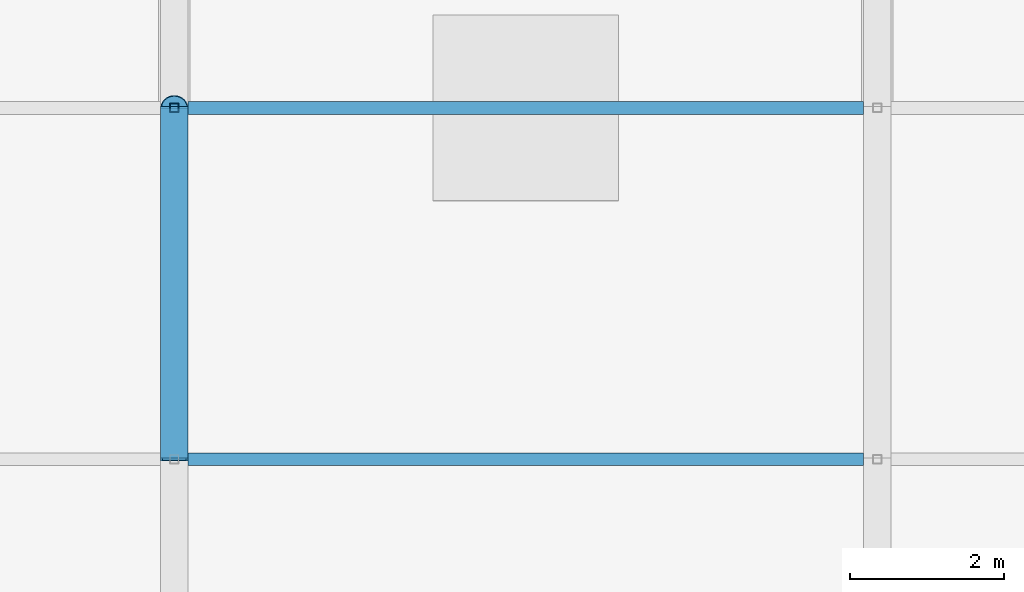
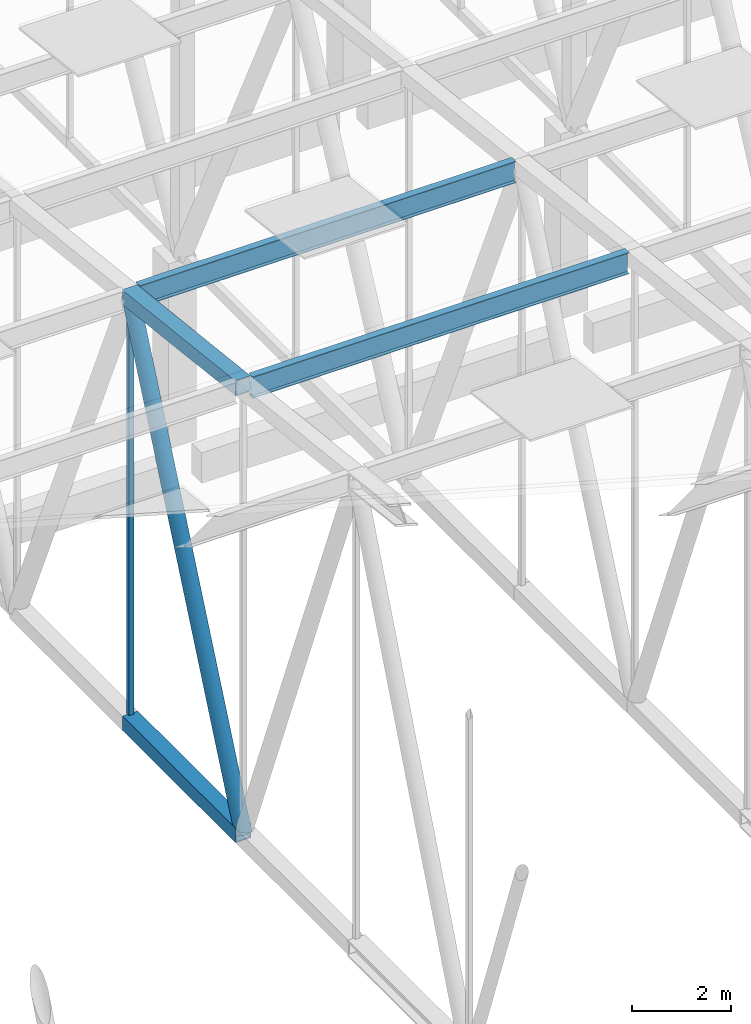
# One storey, part 267 of 500: 6 members.
"""IFC4 building model written with IfcOpenShell, lengths in metres."""

from ifc_helpers import new_model, si_unit, direction, frame, origin, origin_2d, place, context, subcontext, project, spatial, hollow_rectangle, hollow_circle, i_section, extrude, material, material_profile, profile_set, type_object, element, save


model = new_model("IFC4")

# Units and contexts
model_context = context("Model", 3, precision=1e-05, world=origin(), true_north=direction((0.0, 1.0)))
body_context = subcontext(model_context, "Body", "Model", "MODEL_VIEW")
ifc_project = project(units=[si_unit("LENGTHUNIT", "METRE"), si_unit("AREAUNIT", "SQUARE_METRE"), si_unit("VOLUMEUNIT", "CUBIC_METRE"), si_unit("PLANEANGLEUNIT", "RADIAN"), si_unit("MASSUNIT", "GRAM", prefix="KILO")], contexts=[model_context])

# Site, building, storey
site_placement = place(None, origin())
site = spatial("IfcSite", under=ifc_project, at=site_placement, CompositionType="ELEMENT")
building_placement = place(site_placement, origin())
building = spatial("IfcBuilding", under=site, at=building_placement, Name="Shirokan Park Arena", CompositionType="ELEMENT")
storey_placement = place(building_placement, frame((0.0, 0.0, 29.1201171875)))
storey = spatial("IfcBuildingStorey", under=building, at=storey_placement, Name="L06", CompositionType="ELEMENT", Elevation=29.1201171875)

# Members
ifc_material_1 = material(Name="Steel S355J2H", Category="steel")
ifc_material_profile_1 = material_profile(ifc_material_1, hollow_rectangle(XDim=0.35595703125, YDim=0.35595703125, WallThickness=0.025390625, at=origin_2d()), Name="HSS355.6X355.6X25.4")
ifc_profile_set_1 = profile_set([ifc_material_profile_1], Name="Steel S355J2H")
member_type_1 = type_object("IfcMemberType", Name="Bottom chord HSS355.6X355.6X25.4", PredefinedType="CHORD", material=ifc_profile_set_1)
member_1_placement = place(storey_placement, frame((63.699951171875, 81.89990234375, 4.677001953125), z_axis=(0.0, 1.0, 0.0), x_axis=(-1.0, 0.0, 0.0)))
element("IfcMember", 1, at=member_1_placement, inside=storey, type_object=member_type_1, Name="Truss T08 bottom chord 21", PredefinedType="CHORD", context=body_context, shape_type="SweptSolid", body=[
    extrude(hollow_rectangle(XDim=0.35595703125, YDim=0.35595703125, WallThickness=0.025390625, at=origin_2d()), origin(), (0.0, 0.0, 1.0), 4.550048828125),
])
ifc_material_2 = material(Name="Steel ASTM A992", Category="steel")
ifc_material_profile_2 = material_profile(ifc_material_2, i_section(OverallWidth=0.166015625, OverallDepth=0.528076171875, WebThickness=0.009765625, FlangeThickness=0.013671875, at=origin_2d()), Name="W530X74")
ifc_profile_set_2 = profile_set([ifc_material_profile_2], Name="Steel ASTM A992")
member_type_2 = type_object("IfcMemberType", Name="Purlin W530X74", PredefinedType="PURLIN", material=ifc_profile_set_2)
for number, where, z_axis, x_axis, name in (
    (2, (63.8779296875, 81.89990234375, 15.60595703125), (1.0, 0.0, 0.0), (0.0, 1.0, 0.0), "Purlin 21 bay 8"),
    (3, (63.8779296875, 86.449951171875, 15.0859375), (1.0, 0.0, 0.0), (0.0, 1.0, 0.0), "Purlin 22 bay 8"),
):
    element("IfcMember", number, at=place(storey_placement, frame(where, z_axis=z_axis, x_axis=x_axis)), inside=storey, type_object=member_type_2, Name=name, PredefinedType="PURLIN", context=body_context, shape_type="SweptSolid", body=[
        extrude(i_section(OverallWidth=0.166015625, OverallDepth=0.528076171875, WebThickness=0.009765625, FlangeThickness=0.013671875, at=origin_2d()), origin(), (0.0, 0.0, 1.0), 8.744140625),
    ])
ifc_material_profile_3 = material_profile(ifc_material_1, hollow_rectangle(XDim=0.35595703125, YDim=0.35595703125, WallThickness=0.025390625, at=origin_2d()), Name="HSS355.6X355.6X25.4")
ifc_profile_set_3 = profile_set([ifc_material_profile_3], Name="Steel S355J2H")
member_type_3 = type_object("IfcMemberType", Name="Top chord HSS355.6X355.6X25.4", PredefinedType="CHORD", material=ifc_profile_set_3)
member_2_placement = place(storey_placement, frame((63.699951171875, 81.89990234375, 15.661376953125), z_axis=(0.0, 0.993532328996, -0.113549598152), x_axis=(-1.0, 0.0, 0.0)))
element("IfcMember", 4, at=member_2_placement, inside=storey, type_object=member_type_3, Name="Truss T08 top chord 21", PredefinedType="CHORD", context=body_context, shape_type="SweptSolid", body=[
    extrude(hollow_rectangle(XDim=0.35595703125, YDim=0.35595703125, WallThickness=0.025390625, at=origin_2d()), origin(), (0.0, 0.0, 1.0), 4.57958984375),
])
ifc_material_3 = material(Name="Steel ASTM A500 Grade C", Category="steel")
ifc_material_profile_4 = material_profile(ifc_material_3, hollow_circle(Radius=0.177978515625, WallThickness=0.0126953125, at=origin_2d()), Name="HSS355.6X12.7")
ifc_profile_set_4 = profile_set([ifc_material_profile_4], Name="Steel ASTM A500 Grade C")
member_type_4 = type_object("IfcMemberType", Name="Truss diagonal HSS355.6X12.7", PredefinedType="BRACE", material=ifc_profile_set_4)
member_3_placement = place(storey_placement, frame((63.699951171875, 81.89990234375, 4.677001953125), z_axis=(0.0, 0.398750364192, 0.917059511186), x_axis=(-1.0, 0.0, 0.0)))
element("IfcMember", 5, at=member_3_placement, inside=storey, type_object=member_type_4, Name="Truss T08 diagonal 21", PredefinedType="BRACE", context=body_context, shape_type="SweptSolid", body=[
    extrude(hollow_circle(Radius=0.177978515625, WallThickness=0.0126953125, at=origin_2d()), origin(), (0.0, 0.0, 1.0), 11.410888671875),
])
ifc_material_profile_5 = material_profile(ifc_material_3, hollow_rectangle(XDim=0.114013671875, YDim=0.114013671875, WallThickness=0.00634765625, at=origin_2d()), Name="HSS114.3X114.3X6.4")
ifc_profile_set_5 = profile_set([ifc_material_profile_5], Name="Steel ASTM A500 Grade C")
member_type_5 = type_object("IfcMemberType", Name="Truss post HSS114.3X114.3X6.4", PredefinedType="POST", material=ifc_profile_set_5)
member_4_placement = place(storey_placement, frame((63.699951171875, 86.449951171875, 4.677001953125), z_axis=(0.0, 0.0, 1.0), x_axis=(1.0, 0.0, 0.0)))
element("IfcMember", 6, at=member_4_placement, inside=storey, type_object=member_type_5, Name="Truss T08 post 22", PredefinedType="POST", context=body_context, shape_type="SweptSolid", body=[
    extrude(hollow_rectangle(XDim=0.114013671875, YDim=0.114013671875, WallThickness=0.00634765625, at=origin_2d()), origin(), (0.0, 0.0, 1.0), 10.46435546875),
])

save(model, "model.ifc")
